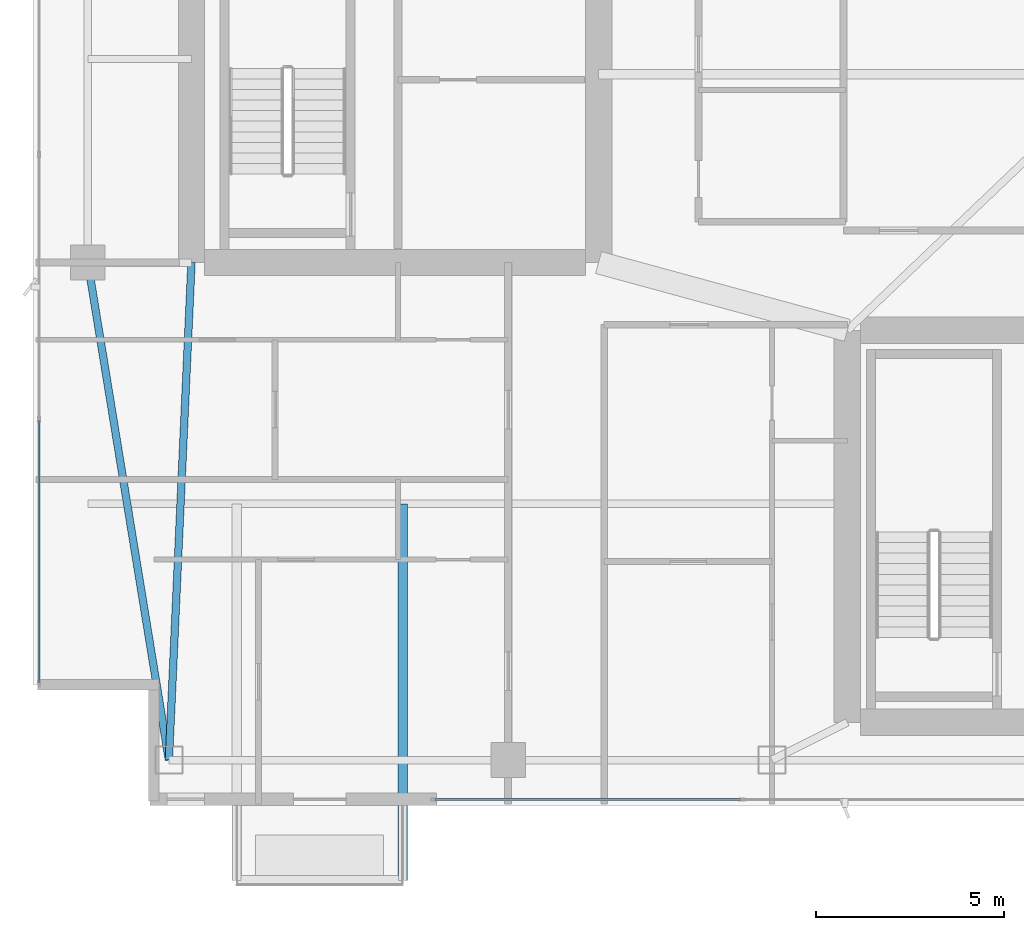
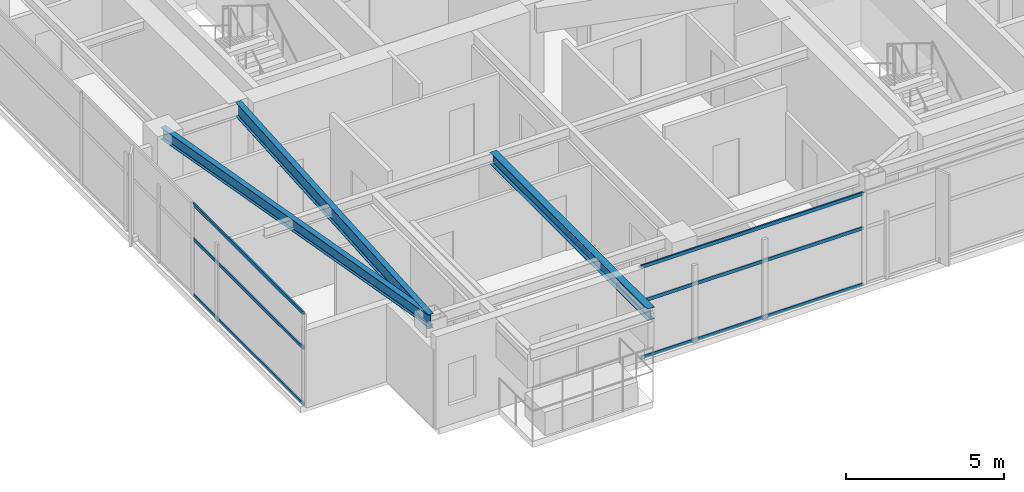
# One storey, part 4 of 29: 6 members, 3 beams, 2 elements without a shape of their own.
"""IFC4 building model written with IfcOpenShell, lengths in metres."""

from ifc_helpers import new_model, si_unit, direction, frame, origin, origin_2d, place, context, subcontext, project, spatial, hollow_rectangle, i_section, extrude, material, layer, layer_set, material_profile, profile_set, type_object, element, aggregate, save


model = new_model("IFC4")

# Units and contexts
model_context = context("Model", 3, precision=1e-05, world=origin(), true_north=direction((0.0, 1.0)))
body_context = subcontext(model_context, "Body", "Model", "MODEL_VIEW")
ifc_project = project(units=[si_unit("LENGTHUNIT", "METRE"), si_unit("AREAUNIT", "SQUARE_METRE"), si_unit("VOLUMEUNIT", "CUBIC_METRE"), si_unit("PLANEANGLEUNIT", "RADIAN"), si_unit("MASSUNIT", "GRAM", prefix="KILO")], contexts=[model_context])

# Site, building, storey
site_placement = place(None, origin())
site = spatial("IfcSite", under=ifc_project, at=site_placement, CompositionType="ELEMENT")
building_placement = place(site_placement, origin())
building = spatial("IfcBuilding", under=site, at=building_placement, Name="Calvorn Quay Hotel", CompositionType="ELEMENT")
storey_placement = place(building_placement, frame((0.0, 0.0, 255.199951171875)))
storey = spatial("IfcBuildingStorey", under=building, at=storey_placement, Name="L63", CompositionType="ELEMENT", Elevation=255.199951171875)

# Beams
ifc_material_1 = material(Name="Steel Q355B", Category="steel")
ifc_material_profile_1 = material_profile(ifc_material_1, i_section(OverallWidth=0.25, OverallDepth=0.449951171875, WebThickness=0.011962890625, FlangeThickness=0.01611328125, FilletRadius=0.01611328125, at=origin_2d()), Name="HN450x250x12x16")
ifc_profile_set_1 = profile_set([ifc_material_profile_1], Name="Steel Q355B")
beam_type_1 = type_object("IfcBeamType", Name="BM-CANT-BALC", PredefinedType="BEAM", material=ifc_profile_set_1)
beam_1_placement = place(storey_placement, frame((9.800048828125, 10.39990234375, 3.31494140625), z_axis=(0.0, -1.0, 0.0), x_axis=(1.0, 0.0, 0.0)))
element("IfcBeam", 1, at=beam_1_placement, inside=storey, type_object=beam_type_1, Name="Cantilever Balcony Beam BCB-L64-2B", PredefinedType="BEAM", context=body_context, shape_type="SweptSolid", body=[
    extrude(i_section(OverallWidth=0.25, OverallDepth=0.449951171875, WebThickness=0.011962890625, FlangeThickness=0.01611328125, FilletRadius=0.01611328125, at=origin_2d()), origin(), (0.0, 0.0, 1.0), 9.989990234375),
])
ifc_material_2 = material(Name="Steel Q355B", Category="steel")
ifc_material_profile_2 = material_profile(ifc_material_2, i_section(OverallWidth=0.199951171875, OverallDepth=0.550048828125, WebThickness=0.010009765625, FlangeThickness=0.01611328125, FilletRadius=0.01806640625, at=origin_2d()), Name="HN550x200x10x16")
ifc_profile_set_2 = profile_set([ifc_material_profile_2], Name="Steel Q355B")
beam_type_2 = type_object("IfcBeamType", Name="BM-GIRD-UPP", PredefinedType="BEAM", material=ifc_profile_set_2)
beam_2_placement = place(storey_placement, frame((3.60009765625, 3.60009765625, 3.26513671875), z_axis=(0.045396765494, 0.998969035397, 0.0), x_axis=(-0.998969035397, 0.045396765494, 0.0)))
element("IfcBeam", 2, at=beam_2_placement, inside=storey, type_object=beam_type_2, Name="Beam BG-L63-W0", PredefinedType="BEAM", context=body_context, shape_type="SweptSolid", body=[
    extrude(i_section(OverallWidth=0.199951171875, OverallDepth=0.550048828125, WebThickness=0.010009765625, FlangeThickness=0.01611328125, FilletRadius=0.01806640625, at=origin_2d()), origin(), (0.0, 0.0, 1.0), 13.213623046875),
])
ifc_material_3 = material(Name="Steel Q355B", Category="steel")
ifc_material_profile_3 = material_profile(ifc_material_3, i_section(OverallWidth=0.199951171875, OverallDepth=0.449951171875, WebThickness=0.009033203125, FlangeThickness=0.013916015625, FilletRadius=0.01611328125, at=origin_2d()), Name="HN450x200x9x14")
ifc_profile_set_3 = profile_set([ifc_material_profile_3], Name="Steel Q355B")
beam_type_3 = type_object("IfcBeamType", Name="BM-SPANDREL-Z3", PredefinedType="SPANDREL", material=ifc_profile_set_3)
beam_3_placement = place(storey_placement, frame((3.60009765625, 3.60009765625, 3.31494140625), z_axis=(-0.16077155054, 0.986991645627, 0.0), x_axis=(-0.986991645627, -0.16077155054, 0.0)))
element("IfcBeam", 3, at=beam_3_placement, inside=storey, type_object=beam_type_3, Name="Beam BSP-L63-W1", PredefinedType="SPANDREL", context=body_context, shape_type="SweptSolid", body=[
    extrude(i_section(OverallWidth=0.199951171875, OverallDepth=0.449951171875, WebThickness=0.009033203125, FlangeThickness=0.013916015625, FilletRadius=0.01611328125, at=origin_2d()), origin(), (0.0, 0.0, 1.0), 13.3740234375),
])

# Curtain wall, members
ifc_material_4 = material(Name="Champagne Bronze Anodised Aluminium and Low-E Glass", Category="aluminium")
ifc_layer = layer(ifc_material_4, 0.219970703125)
ifc_layer_set = layer_set([ifc_layer], Name="CW-SYS-Z4")
curtain_wall_type = type_object("IfcCurtainWallType", Name="CW-SYS-Z4", PredefinedType="NOTDEFINED", material=ifc_layer_set)
curtain_wall_1_placement = place(storey_placement, origin())
curtain_wall_1 = element("IfcCurtainWall", 4, at=curtain_wall_1_placement, inside=storey, type_object=curtain_wall_type, Name="Tower West Curtain Wall (L63)", PredefinedType="NOTDEFINED")
ifc_material_5 = material(Name="Champagne Bronze Anodised Aluminium 6063-T6", Category="aluminium")
ifc_material_profile_4 = material_profile(ifc_material_5, hollow_rectangle(XDim=0.054931640625, YDim=0.1298828125, WallThickness=0.003173828125, at=origin_2d()), Name="ALU-T130x55x3.2")
ifc_profile_set_4 = profile_set([ifc_material_profile_4], Name="Champagne Bronze Anodised Aluminium 6063-T6")
member_type = type_object("IfcMemberType", Name="CW-SYS-Z4-TRN", PredefinedType="USERDEFINED", material=ifc_profile_set_4)
member_1_placement = place(storey_placement, frame((0.14990234375, 5.659912109375, 0.030029296875), z_axis=(0.0, 1.0, 0.0), x_axis=(-1.0, 0.0, 0.0)))
member_1 = element("IfcMember", 5, at=member_1_placement, type_object=member_type, Name="CW-L63-W transom 1.1", ObjectType="TRANSOM", PredefinedType="USERDEFINED", context=body_context, shape_type="SweptSolid", body=[
    extrude(hollow_rectangle(XDim=0.054931640625, YDim=0.1298828125, WallThickness=0.003173828125, at=origin_2d()), origin(), (0.0, 0.0, 1.0), 6.943359375),
])
member_2_placement = place(storey_placement, frame((0.14990234375, 5.659912109375, 2.199951171875), z_axis=(0.0, 1.0, 0.0), x_axis=(-1.0, 0.0, 0.0)))
member_2 = element("IfcMember", 6, at=member_2_placement, type_object=member_type, Name="CW-L63-W transom 1.2", ObjectType="TRANSOM", PredefinedType="USERDEFINED", context=body_context, shape_type="SweptSolid", body=[
    extrude(hollow_rectangle(XDim=0.054931640625, YDim=0.1298828125, WallThickness=0.003173828125, at=origin_2d()), origin(), (0.0, 0.0, 1.0), 6.943359375),
])
member_3_placement = place(storey_placement, frame((0.14990234375, 5.659912109375, 3.530029296875), z_axis=(0.0, 1.0, 0.0), x_axis=(-1.0, 0.0, 0.0)))
member_3 = element("IfcMember", 7, at=member_3_placement, type_object=member_type, Name="CW-L63-W transom 1.3", ObjectType="TRANSOM", PredefinedType="USERDEFINED", context=body_context, shape_type="SweptSolid", body=[
    extrude(hollow_rectangle(XDim=0.054931640625, YDim=0.1298828125, WallThickness=0.003173828125, at=origin_2d()), origin(), (0.0, 0.0, 1.0), 6.943359375),
])
aggregate(curtain_wall_1, [member_1, member_2, member_3])

curtain_wall_2_placement = place(storey_placement, origin())
curtain_wall_2 = element("IfcCurtainWall", 8, at=curtain_wall_2_placement, inside=storey, type_object=curtain_wall_type, Name="Tower South Waterfront Curtain Wall (L63)", PredefinedType="NOTDEFINED")
member_4_placement = place(storey_placement, frame((10.659912109375, 2.550048828125, 0.030029296875), z_axis=(1.0, 0.0, 0.0), x_axis=(0.0, 1.0, 0.0)))
member_4 = element("IfcMember", 9, at=member_4_placement, type_object=member_type, Name="CW-L63-S transom 1.1", ObjectType="TRANSOM", PredefinedType="USERDEFINED", context=body_context, shape_type="SweptSolid", body=[
    extrude(hollow_rectangle(XDim=0.054931640625, YDim=0.1298828125, WallThickness=0.003173828125, at=origin_2d()), origin(), (0.0, 0.0, 1.0), 8.110107421875),
])
member_5_placement = place(storey_placement, frame((10.659912109375, 2.550048828125, 2.199951171875), z_axis=(1.0, 0.0, 0.0), x_axis=(0.0, 1.0, 0.0)))
member_5 = element("IfcMember", 10, at=member_5_placement, type_object=member_type, Name="CW-L63-S transom 1.2", ObjectType="TRANSOM", PredefinedType="USERDEFINED", context=body_context, shape_type="SweptSolid", body=[
    extrude(hollow_rectangle(XDim=0.054931640625, YDim=0.1298828125, WallThickness=0.003173828125, at=origin_2d()), origin(), (0.0, 0.0, 1.0), 8.110107421875),
])
member_6_placement = place(storey_placement, frame((10.659912109375, 2.550048828125, 3.530029296875), z_axis=(1.0, 0.0, 0.0), x_axis=(0.0, 1.0, 0.0)))
member_6 = element("IfcMember", 11, at=member_6_placement, type_object=member_type, Name="CW-L63-S transom 1.3", ObjectType="TRANSOM", PredefinedType="USERDEFINED", context=body_context, shape_type="SweptSolid", body=[
    extrude(hollow_rectangle(XDim=0.054931640625, YDim=0.1298828125, WallThickness=0.003173828125, at=origin_2d()), origin(), (0.0, 0.0, 1.0), 8.110107421875),
])
aggregate(curtain_wall_2, [member_4, member_5, member_6])

save(model, "model.ifc")
